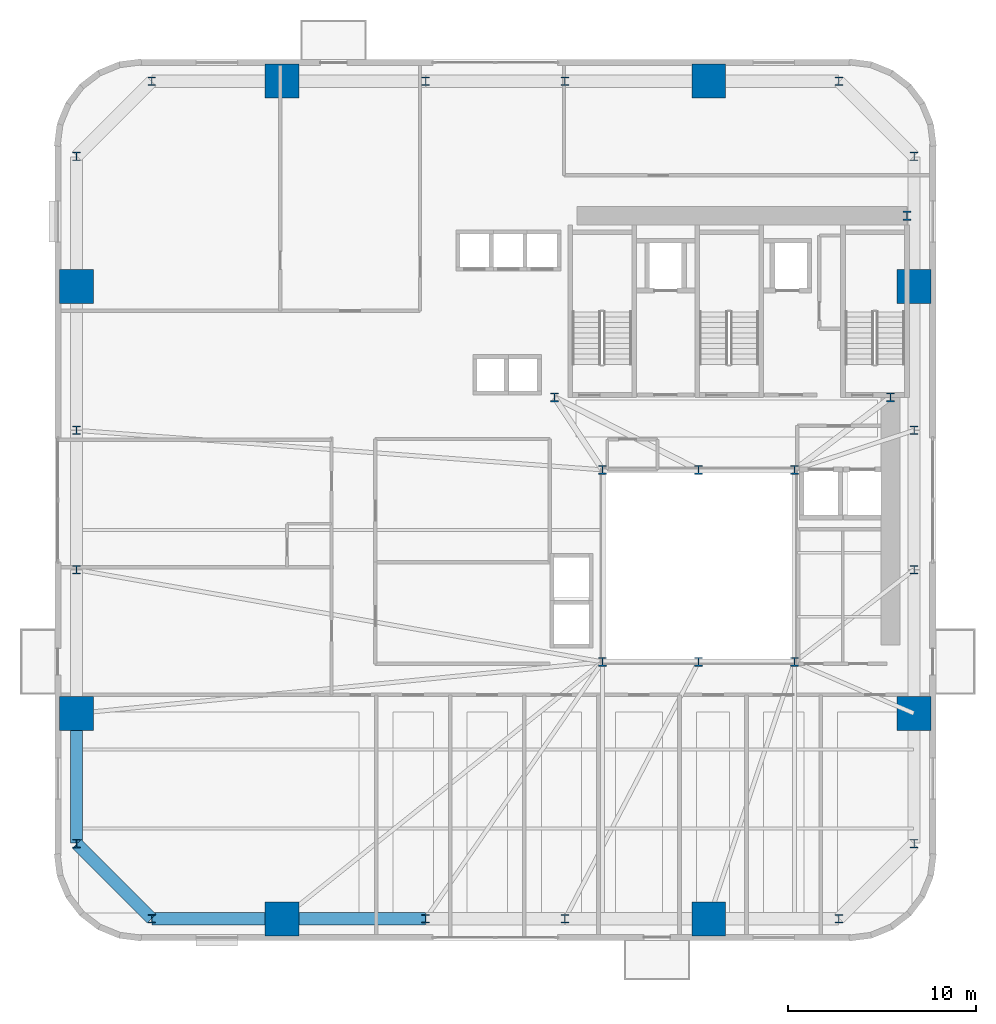
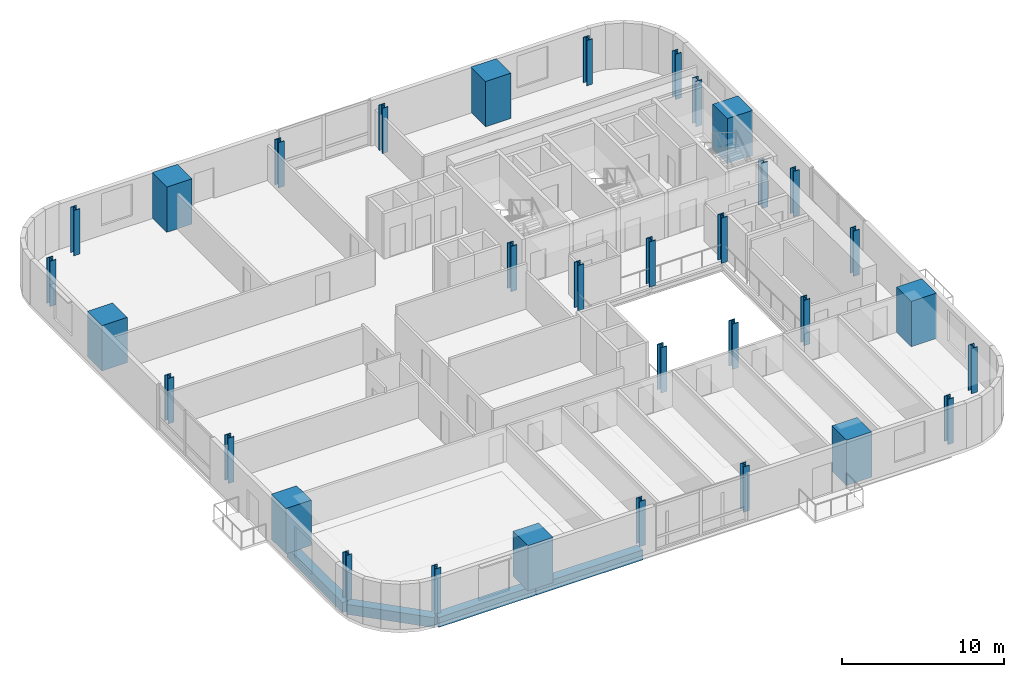
# One storey, part 1 of 13: 33 columns, 4 beams.
"""IFC4 building model written with IfcOpenShell, lengths in metres."""

from ifc_helpers import new_model, si_unit, direction, frame, origin, origin_2d, place, context, subcontext, project, spatial, rectangle, i_section, extrude, source, transform, mapped, material, material_profile, profile_set, type_object, element, save


model = new_model("IFC4")

# Units and contexts
model_context = context("Model", 3, precision=1e-05, world=origin(), true_north=direction((0.0, 1.0)))
body_context = subcontext(model_context, "Body", "Model", "MODEL_VIEW")
ifc_project = project(units=[si_unit("LENGTHUNIT", "METRE"), si_unit("AREAUNIT", "SQUARE_METRE"), si_unit("VOLUMEUNIT", "CUBIC_METRE"), si_unit("PLANEANGLEUNIT", "RADIAN"), si_unit("MASSUNIT", "GRAM", prefix="KILO")], contexts=[model_context])

# Site, building, storey
site_placement = place(None, origin())
site = spatial("IfcSite", under=ifc_project, at=site_placement, CompositionType="ELEMENT")
building_placement = place(site_placement, origin())
building = spatial("IfcBuilding", under=site, at=building_placement, Name="Vardaveli Station Tower", CompositionType="ELEMENT")
storey_placement = place(building_placement, frame((0.0, 0.0, 53.14990234375)))
storey = spatial("IfcBuildingStorey", under=building, at=storey_placement, Name="L13", CompositionType="ELEMENT", Elevation=53.14990234375)

# Columns
ifc_material_1 = material(Name="Structural steel S460M", Category="steel")
ifc_material_profile_1 = material_profile(ifc_material_1, i_section(OverallWidth=0.427978515625, OverallDepth=0.48095703125, WebThickness=0.03955078125, FlangeThickness=0.0634765625, FilletRadius=0.014892578125, at=origin_2d()), Name="HD 400x677")
ifc_profile_set_1 = profile_set([ifc_material_profile_1], Name="Structural steel S460M")
column_type_1 = type_object("IfcColumnType", Name="COL-HD677", PredefinedType="COLUMN", material=ifc_profile_set_1)
shared_shape_1 = source(origin(), body_context, "Body", "SweptSolid", [
    extrude(i_section(OverallWidth=0.427978515625, OverallDepth=0.48095703125, WebThickness=0.03955078125, FlangeThickness=0.0634765625, FilletRadius=0.014892578125, at=origin_2d()), origin(), (0.0, 0.0, 1.0), 3.41015625),
])
for number, where, z_axis, x_axis, name in (
    (1, (31.199951171875, 16.60009765625, 0.0), (0.0, 0.0, 1.0), (1.0, 0.0, 0.0), "COL-L13-AC1"),
    (2, (36.300048828125, 16.60009765625, 0.0), (0.0, 0.0, 1.0), (1.0, 0.0, 0.0), "COL-L13-AC2"),
    (3, (41.39990234375, 16.60009765625, 0.0), (0.0, 0.0, 1.0), (1.0, 0.0, 0.0), "COL-L13-AC3"),
    (4, (41.39990234375, 26.800048828125, 0.0), (0.0, 0.0, 1.0), (1.0, 0.0, 0.0), "COL-L13-AC4"),
    (5, (36.300048828125, 26.800048828125, 0.0), (0.0, 0.0, 1.0), (1.0, 0.0, 0.0), "COL-L13-AC5"),
    (6, (31.199951171875, 26.800048828125, 0.0), (0.0, 0.0, 1.0), (1.0, 0.0, 0.0), "COL-L13-AC6"),
    (7, (28.64990234375, 30.64990234375, 0.0), (0.0, 0.0, 1.0), (1.0, 0.0, 0.0), "COL-L13-CC1"),
    (8, (46.5, 30.64990234375, 0.0), (0.0, 0.0, 1.0), (1.0, 0.0, 0.0), "COL-L13-CC2"),
    (9, (47.3701171875, 40.300048828125, 0.0), (0.0, 0.0, 1.0), (1.0, 0.0, 0.0), "COL-L13-CC3"),
):
    element("IfcColumn", number, at=place(storey_placement, frame(where, z_axis=z_axis, x_axis=x_axis)), inside=storey, type_object=column_type_1, Name=name, PredefinedType="COLUMN", context=body_context, shape_type="MappedRepresentation", body=[
        mapped(shared_shape_1, transform((0.0, 0.0, 0.0), scale=1.0)),
    ])
ifc_material_2 = material(Name="Concrete C70/85", Category="concrete")
ifc_material_profile_2 = material_profile(ifc_material_2, rectangle(XDim=1.800048828125, YDim=1.800048828125, at=origin_2d()), Name="MC 1800x1800")
ifc_profile_set_2 = profile_set([ifc_material_profile_2], Name="Concrete C70/85")
column_type_2 = type_object("IfcColumnType", Name="COL-MC-1800", PredefinedType="COLUMN", material=ifc_profile_set_2)
shared_shape_2 = source(origin(), body_context, "Body", "SweptSolid", [
    extrude(rectangle(XDim=1.800048828125, YDim=1.800048828125, at=origin_2d()), origin(), (0.0, 0.0, 1.0), 3.41015625),
])
for number, where, z_axis, x_axis, name in (
    (10, (14.159912109375, 2.949951171875, 0.0), (0.0, 0.0, 1.0), (1.0, 0.0, 0.0), "COL-L13-MC1"),
    (11, (36.840087890625, 2.949951171875, 0.0), (0.0, 0.0, 1.0), (1.0, 0.0, 0.0), "COL-L13-MC2"),
    (12, (47.75, 13.860107421875, 0.0), (0.0, 0.0, 1.0), (1.0, 0.0, 0.0), "COL-L13-MC3"),
    (13, (47.75, 36.5400390625, 0.0), (0.0, 0.0, 1.0), (1.0, 0.0, 0.0), "COL-L13-MC4"),
    (14, (36.840087890625, 47.449951171875, 0.0), (0.0, 0.0, 1.0), (1.0, 0.0, 0.0), "COL-L13-MC5"),
    (15, (14.159912109375, 47.449951171875, 0.0), (0.0, 0.0, 1.0), (1.0, 0.0, 0.0), "COL-L13-MC6"),
    (16, (3.25, 36.5400390625, 0.0), (0.0, 0.0, 1.0), (1.0, 0.0, 0.0), "COL-L13-MC7"),
    (17, (3.25, 13.860107421875, 0.0), (0.0, 0.0, 1.0), (1.0, 0.0, 0.0), "COL-L13-MC8"),
):
    element("IfcColumn", number, at=place(storey_placement, frame(where, z_axis=z_axis, x_axis=x_axis)), inside=storey, type_object=column_type_2, Name=name, PredefinedType="COLUMN", context=body_context, shape_type="MappedRepresentation", body=[
        mapped(shared_shape_2, transform((0.0, 0.0, 0.0), scale=1.0)),
    ])
ifc_material_profile_3 = material_profile(ifc_material_1, i_section(OverallWidth=0.4189453125, OverallDepth=0.448974609375, WebThickness=0.030517578125, FlangeThickness=0.04833984375, FilletRadius=0.014892578125, at=origin_2d()), Name="HD 400x509")
ifc_profile_set_3 = profile_set([ifc_material_profile_3], Name="Structural steel S460M")
column_type_3 = type_object("IfcColumnType", Name="COL-HD509", PredefinedType="COLUMN", material=ifc_profile_set_3)
shared_shape_3 = source(origin(), body_context, "Body", "SweptSolid", [
    extrude(i_section(OverallWidth=0.4189453125, OverallDepth=0.448974609375, WebThickness=0.030517578125, FlangeThickness=0.04833984375, FilletRadius=0.014892578125, at=origin_2d()), origin(), (0.0, 0.0, 1.0), 3.41015625),
])
for number, where, z_axis, x_axis, name in (
    (18, (7.25, 2.949951171875, 0.0), (0.0, 0.0, 1.0), (1.0, 0.0, 0.0), "COL-L13-PC01"),
    (19, (21.800048828125, 2.949951171875, 0.0), (0.0, 0.0, 1.0), (1.0, 0.0, 0.0), "COL-L13-PC02"),
    (20, (29.199951171875, 2.949951171875, 0.0), (0.0, 0.0, 1.0), (1.0, 0.0, 0.0), "COL-L13-PC03"),
    (21, (43.75, 2.949951171875, 0.0), (0.0, 0.0, 1.0), (1.0, 0.0, 0.0), "COL-L13-PC04"),
    (22, (47.75, 6.949951171875, 0.0), (0.0, 0.0, 1.0), (1.0, 0.0, 0.0), "COL-L13-PC05"),
    (23, (47.75, 21.5, 0.0), (0.0, 0.0, 1.0), (1.0, 0.0, 0.0), "COL-L13-PC06"),
    (24, (47.75, 28.89990234375, 0.0), (0.0, 0.0, 1.0), (1.0, 0.0, 0.0), "COL-L13-PC07"),
    (25, (47.75, 43.449951171875, 0.0), (0.0, 0.0, 1.0), (1.0, 0.0, 0.0), "COL-L13-PC08"),
    (26, (43.75, 47.449951171875, 0.0), (0.0, 0.0, 1.0), (1.0, 0.0, 0.0), "COL-L13-PC09"),
    (27, (29.199951171875, 47.449951171875, 0.0), (0.0, 0.0, 1.0), (1.0, 0.0, 0.0), "COL-L13-PC10"),
    (28, (21.800048828125, 47.449951171875, 0.0), (0.0, 0.0, 1.0), (1.0, 0.0, 0.0), "COL-L13-PC11"),
    (29, (7.25, 47.449951171875, 0.0), (0.0, 0.0, 1.0), (1.0, 0.0, 0.0), "COL-L13-PC12"),
    (30, (3.25, 43.449951171875, 0.0), (0.0, 0.0, 1.0), (1.0, 0.0, 0.0), "COL-L13-PC13"),
    (31, (3.25, 28.89990234375, 0.0), (0.0, 0.0, 1.0), (1.0, 0.0, 0.0), "COL-L13-PC14"),
    (32, (3.25, 21.5, 0.0), (0.0, 0.0, 1.0), (1.0, 0.0, 0.0), "COL-L13-PC15"),
    (33, (3.25, 6.949951171875, 0.0), (0.0, 0.0, 1.0), (1.0, 0.0, 0.0), "COL-L13-PC16"),
):
    element("IfcColumn", number, at=place(storey_placement, frame(where, z_axis=z_axis, x_axis=x_axis)), inside=storey, type_object=column_type_3, Name=name, PredefinedType="COLUMN", context=body_context, shape_type="MappedRepresentation", body=[
        mapped(shared_shape_3, transform((0.0, 0.0, 0.0), scale=1.0)),
    ])

# Beams
ifc_material_3 = material(Name="Precast concrete C45/55", Category="concrete")
ifc_material_profile_4 = material_profile(ifc_material_3, rectangle(XDim=0.64990234375, YDim=0.75, at=origin_2d()), Name="LPB 650x750")
ifc_profile_set_4 = profile_set([ifc_material_profile_4], Name="Precast concrete C45/55")
beam_type = type_object("IfcBeamType", Name="BM-LPB-750", PredefinedType="BEAM", material=ifc_profile_set_4)
shared_shape_4 = source(origin(), body_context, "Body", "SweptSolid", [
    extrude(rectangle(XDim=0.64990234375, YDim=0.75, at=origin_2d()), origin(), (0.0, 0.0, 1.0), 7.60009765625),
])
beam_1_placement = place(storey_placement, frame((14.179931640625, 2.949951171875, -0.614990234375), z_axis=(1.0, 0.0, 0.0), x_axis=(0.0, 1.0, 0.0)))
element("IfcBeam", 34, at=beam_1_placement, inside=storey, type_object=beam_type, Name="RBM-L13-01", PredefinedType="BEAM", context=body_context, shape_type="MappedRepresentation", body=[
    mapped(shared_shape_4, transform((0.0, 0.0, 0.0), scale=1.0)),
])
shared_shape_5 = source(origin(), body_context, "Body", "SweptSolid", [
    extrude(rectangle(XDim=0.64990234375, YDim=0.75, at=origin_2d()), origin(), (0.0, 0.0, 1.0), 6.869873046875),
])
beam_2_placement = place(storey_placement, frame((7.27001953125, 2.949951171875, -0.614990234375), z_axis=(1.0, 0.0, 0.0), x_axis=(0.0, 1.0, 0.0)))
element("IfcBeam", 35, at=beam_2_placement, inside=storey, type_object=beam_type, Name="RBM-L13-24", PredefinedType="BEAM", context=body_context, shape_type="MappedRepresentation", body=[
    mapped(shared_shape_5, transform((0.0, 0.0, 0.0), scale=1.0)),
])
shared_shape_6 = source(origin(), body_context, "Body", "SweptSolid", [
    extrude(rectangle(XDim=0.64990234375, YDim=0.75, at=origin_2d()), origin(), (0.0, 0.0, 1.0), 5.61669921875),
])
beam_3_placement = place(storey_placement, frame((3.26416015625, 6.935791015625, -0.614990234375), z_axis=(0.707106781187, -0.707106781187, 0.0), x_axis=(0.707106781187, 0.707106781187, 0.0)))
element("IfcBeam", 36, at=beam_3_placement, inside=storey, type_object=beam_type, Name="RBM-L13-23", PredefinedType="BEAM", context=body_context, shape_type="MappedRepresentation", body=[
    mapped(shared_shape_6, transform((0.0, 0.0, 0.0), scale=1.0)),
])
shared_shape_7 = source(origin(), body_context, "Body", "SweptSolid", [
    extrude(rectangle(XDim=0.64990234375, YDim=0.75, at=origin_2d()), origin(), (0.0, 0.0, 1.0), 6.8701171875),
])
beam_4_placement = place(storey_placement, frame((3.25, 13.840087890625, -0.614990234375), z_axis=(0.0, -1.0, 0.0), x_axis=(1.0, 0.0, 0.0)))
element("IfcBeam", 37, at=beam_4_placement, inside=storey, type_object=beam_type, Name="RBM-L13-22", PredefinedType="BEAM", context=body_context, shape_type="MappedRepresentation", body=[
    mapped(shared_shape_7, transform((0.0, 0.0, 0.0), scale=1.0)),
])

save(model, "model.ifc")
